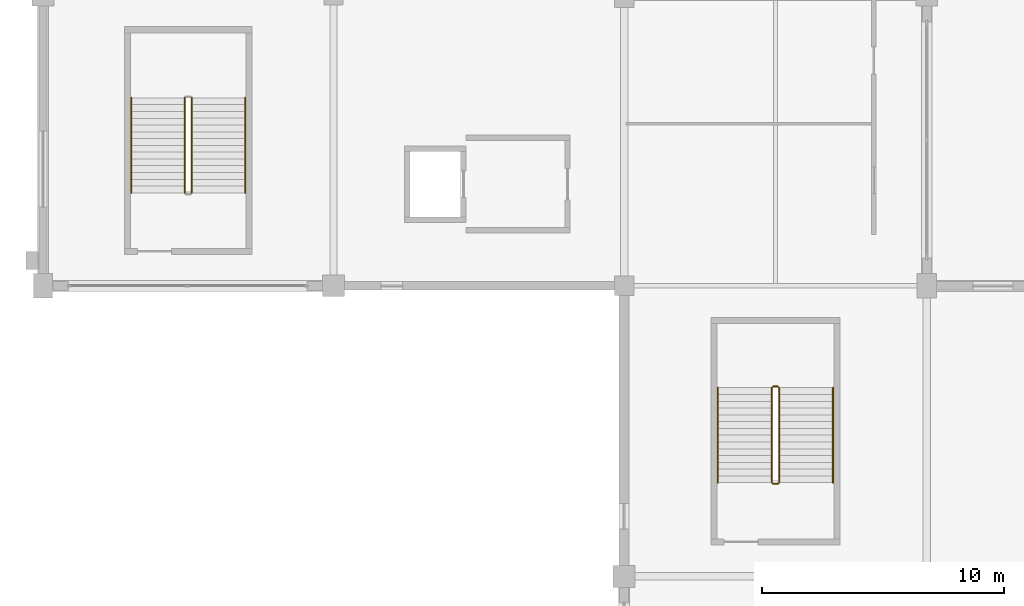
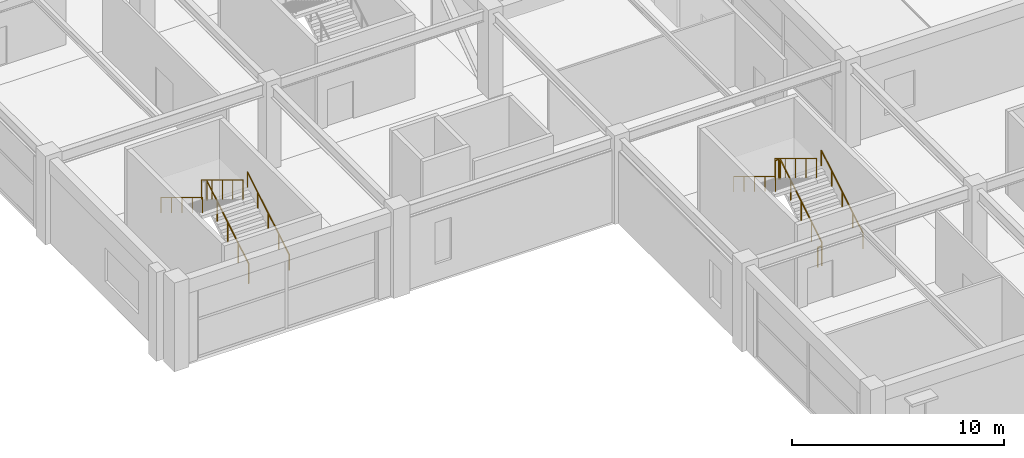
# One storey, part 87 of 116: 10 railings.
"""IFC4 building model written with IfcOpenShell, lengths in metres."""

from ifc_helpers import new_model, si_unit, direction, frame, origin, origin_2d, place, context, subcontext, project, spatial, circle, extrude, material, layer, layer_set, type_object, element, save


model = new_model("IFC4")

# Units and contexts
model_context = context("Model", 3, precision=1e-05, world=origin(), true_north=direction((0.0, 1.0)))
body_context = subcontext(model_context, "Body", "Model", "MODEL_VIEW")
ifc_project = project(units=[si_unit("LENGTHUNIT", "METRE"), si_unit("AREAUNIT", "SQUARE_METRE"), si_unit("VOLUMEUNIT", "CUBIC_METRE"), si_unit("PLANEANGLEUNIT", "RADIAN"), si_unit("MASSUNIT", "GRAM", prefix="KILO")], contexts=[model_context])

# Site, building, storey
site_placement = place(None, origin())
site = spatial("IfcSite", under=ifc_project, at=site_placement, CompositionType="ELEMENT")
building_placement = place(site_placement, origin())
building = spatial("IfcBuilding", under=site, at=building_placement, Name="Kazenohara Klinker Stadium", CompositionType="ELEMENT")
storey_placement = place(building_placement, frame((0.0, 0.0, 10.199951171875)))
storey = spatial("IfcBuildingStorey", under=building, at=storey_placement, Name="L02", CompositionType="ELEMENT", Elevation=10.199951171875)

# Railings
ifc_material_1 = material(Name="Brushed stainless steel 304 handrail", Category="steel")
ifc_layer_1 = layer(ifc_material_1, 0.050048828125)
ifc_layer_set_1 = layer_set([ifc_layer_1], Name="Brushed stainless steel 304 handrail")
railing_type_1 = type_object("IfcRailingType", Name="RL-HND-900", PredefinedType="HANDRAIL", material=ifc_layer_set_1)
railing_1_placement = place(storey_placement, frame((8.35009765625, 39.840087890625, 0.170166015625)))
element("IfcRailing", 1, at=railing_1_placement, inside=storey, type_object=railing_type_1, Name="L02 ST01 stair handrail 1", PredefinedType="HANDRAIL", context=body_context, shape_type="SweptSolid", body=[
    extrude(circle(Radius=0.02392578125, at=origin_2d()), frame((0.0, 0.0, 0.8759765625), z_axis=(0.0, 0.854794262968, 0.518967020143), x_axis=(-1.0, 0.0, 0.0)), (0.0, 0.0, 1.0), 4.585693359375),
    extrude(circle(Radius=0.02099609375, at=origin_2d()), origin(), (0.0, 0.0, 1.0), 0.851806640625),
    extrude(circle(Radius=0.02099609375, at=origin_2d()), frame((0.0, 0.97998046875, 0.594970703125)), (0.0, 0.0, 1.0), 0.851806640625),
    extrude(circle(Radius=0.02099609375, at=origin_2d()), frame((0.0, 1.9599609375, 1.18994140625)), (0.0, 0.0, 1.0), 0.851806640625),
    extrude(circle(Radius=0.02099609375, at=origin_2d()), frame((0.0, 2.93994140625, 1.784912109375)), (0.0, 0.0, 1.0), 0.851806640625),
    extrude(circle(Radius=0.02099609375, at=origin_2d()), frame((0.0, 3.919921875, 2.3798828125)), (0.0, 0.0, 1.0), 0.851806640625),
])
railing_2_placement = place(storey_placement, frame((3.64990234375, 43.760009765625, 2.719970703125)))
element("IfcRailing", 2, at=railing_2_placement, inside=storey, type_object=railing_type_1, Name="L02 ST01 stair handrail 2", PredefinedType="HANDRAIL", context=body_context, shape_type="SweptSolid", body=[
    extrude(circle(Radius=0.02392578125, at=origin_2d()), frame((0.0, 0.0, 0.8759765625), z_axis=(0.0, -0.854770645689, 0.519005918337), x_axis=(1.0, 0.0, 0.0)), (0.0, 0.0, 1.0), 4.5859375),
    extrude(circle(Radius=0.02099609375, at=origin_2d()), origin(), (0.0, 0.0, 1.0), 0.851806640625),
    extrude(circle(Radius=0.02099609375, at=origin_2d()), frame((0.0, -0.97998046875, 0.594970703125)), (0.0, 0.0, 1.0), 0.851806640625),
    extrude(circle(Radius=0.02099609375, at=origin_2d()), frame((0.0, -1.9599609375, 1.18994140625)), (0.0, 0.0, 1.0), 0.851806640625),
    extrude(circle(Radius=0.02099609375, at=origin_2d()), frame((0.0, -2.93994140625, 1.78515625)), (0.0, 0.0, 1.0), 0.851806640625),
    extrude(circle(Radius=0.02099609375, at=origin_2d()), frame((0.0, -3.919921875, 2.380126953125)), (0.0, 0.0, 1.0), 0.851806640625),
])
railing_3_placement = place(storey_placement, frame((32.6298828125, 27.8701171875, 0.170166015625)))
element("IfcRailing", 3, at=railing_3_placement, inside=storey, type_object=railing_type_1, Name="L02 ST07 stair handrail 1", PredefinedType="HANDRAIL", context=body_context, shape_type="SweptSolid", body=[
    extrude(circle(Radius=0.02392578125, at=origin_2d()), frame((0.0, 0.0, 0.8759765625), z_axis=(0.0, 0.854794262968, 0.518967020143), x_axis=(-1.0, 0.0, 0.0)), (0.0, 0.0, 1.0), 4.585693359375),
    extrude(circle(Radius=0.02099609375, at=origin_2d()), origin(), (0.0, 0.0, 1.0), 0.851806640625),
    extrude(circle(Radius=0.02099609375, at=origin_2d()), frame((0.0, 0.97998046875, 0.594970703125)), (0.0, 0.0, 1.0), 0.851806640625),
    extrude(circle(Radius=0.02099609375, at=origin_2d()), frame((0.0, 1.9599609375, 1.18994140625)), (0.0, 0.0, 1.0), 0.851806640625),
    extrude(circle(Radius=0.02099609375, at=origin_2d()), frame((0.0, 2.93994140625, 1.784912109375)), (0.0, 0.0, 1.0), 0.851806640625),
    extrude(circle(Radius=0.02099609375, at=origin_2d()), frame((0.0, 3.919921875, 2.3798828125)), (0.0, 0.0, 1.0), 0.851806640625),
])
railing_4_placement = place(storey_placement, frame((27.8701171875, 31.7900390625, 2.719970703125)))
element("IfcRailing", 4, at=railing_4_placement, inside=storey, type_object=railing_type_1, Name="L02 ST07 stair handrail 2", PredefinedType="HANDRAIL", context=body_context, shape_type="SweptSolid", body=[
    extrude(circle(Radius=0.02392578125, at=origin_2d()), frame((0.0, 0.0, 0.8759765625), z_axis=(0.0, -0.854770645689, 0.519005918337), x_axis=(1.0, 0.0, 0.0)), (0.0, 0.0, 1.0), 4.5859375),
    extrude(circle(Radius=0.02099609375, at=origin_2d()), origin(), (0.0, 0.0, 1.0), 0.851806640625),
    extrude(circle(Radius=0.02099609375, at=origin_2d()), frame((0.0, -0.97998046875, 0.594970703125)), (0.0, 0.0, 1.0), 0.851806640625),
    extrude(circle(Radius=0.02099609375, at=origin_2d()), frame((0.0, -1.9599609375, 1.18994140625)), (0.0, 0.0, 1.0), 0.851806640625),
    extrude(circle(Radius=0.02099609375, at=origin_2d()), frame((0.0, -2.93994140625, 1.78515625)), (0.0, 0.0, 1.0), 0.851806640625),
    extrude(circle(Radius=0.02099609375, at=origin_2d()), frame((0.0, -3.919921875, 2.380126953125)), (0.0, 0.0, 1.0), 0.851806640625),
])
ifc_material_2 = material(Name="Painted steel stairwell guardrail", Category="steel")
ifc_layer_2 = layer(ifc_material_2, 0.06005859375)
ifc_layer_set_2 = layer_set([ifc_layer_2], Name="Painted steel stairwell guardrail")
railing_type_2 = type_object("IfcRailingType", Name="RL-STG-1120", PredefinedType="GUARDRAIL", material=ifc_layer_set_2)
railing_5_placement = place(storey_placement, frame((6.14990234375, 39.840087890625, 0.170166015625)))
element("IfcRailing", 5, at=railing_5_placement, inside=storey, type_object=railing_type_2, Name="L02 ST01 stair guard 1", PredefinedType="GUARDRAIL", context=body_context, shape_type="SweptSolid", body=[
    extrude(circle(Radius=0.02392578125, at=origin_2d()), frame((0.0, 0.0, 1.1259765625), z_axis=(0.0, 0.854794262968, 0.518967020143), x_axis=(-1.0, 0.0, 0.0)), (0.0, 0.0, 1.0), 4.585693359375),
    extrude(circle(Radius=0.02099609375, at=origin_2d()), origin(), (0.0, 0.0, 1.0), 1.101806640625),
    extrude(circle(Radius=0.02099609375, at=origin_2d()), frame((0.0, 0.97998046875, 0.594970703125)), (0.0, 0.0, 1.0), 1.101806640625),
    extrude(circle(Radius=0.02099609375, at=origin_2d()), frame((0.0, 1.9599609375, 1.18994140625)), (0.0, 0.0, 1.0), 1.101806640625),
    extrude(circle(Radius=0.02099609375, at=origin_2d()), frame((0.0, 2.93994140625, 1.784912109375)), (0.0, 0.0, 1.0), 1.101806640625),
    extrude(circle(Radius=0.02099609375, at=origin_2d()), frame((0.0, 3.919921875, 2.3798828125)), (0.0, 0.0, 1.0), 1.101806640625),
])
railing_6_placement = place(storey_placement, frame((5.85009765625, 43.760009765625, 2.719970703125)))
element("IfcRailing", 6, at=railing_6_placement, inside=storey, type_object=railing_type_2, Name="L02 ST01 stair guard 3", PredefinedType="GUARDRAIL", context=body_context, shape_type="SweptSolid", body=[
    extrude(circle(Radius=0.02392578125, at=origin_2d()), frame((0.0, 0.0, 1.1259765625), z_axis=(0.0, -0.854770645689, 0.519005918337), x_axis=(1.0, 0.0, 0.0)), (0.0, 0.0, 1.0), 4.5859375),
    extrude(circle(Radius=0.02099609375, at=origin_2d()), origin(), (0.0, 0.0, 1.0), 1.101806640625),
    extrude(circle(Radius=0.02099609375, at=origin_2d()), frame((0.0, -0.97998046875, 0.594970703125)), (0.0, 0.0, 1.0), 1.101806640625),
    extrude(circle(Radius=0.02099609375, at=origin_2d()), frame((0.0, -1.9599609375, 1.18994140625)), (0.0, 0.0, 1.0), 1.101806640625),
    extrude(circle(Radius=0.02099609375, at=origin_2d()), frame((0.0, -2.93994140625, 1.78515625)), (0.0, 0.0, 1.0), 1.101806640625),
    extrude(circle(Radius=0.02099609375, at=origin_2d()), frame((0.0, -3.919921875, 2.380126953125)), (0.0, 0.0, 1.0), 1.101806640625),
])
railing_7_placement = place(storey_placement, frame((30.39990234375, 27.8701171875, 0.170166015625)))
element("IfcRailing", 7, at=railing_7_placement, inside=storey, type_object=railing_type_2, Name="L02 ST07 stair guard 1", PredefinedType="GUARDRAIL", context=body_context, shape_type="SweptSolid", body=[
    extrude(circle(Radius=0.02392578125, at=origin_2d()), frame((0.0, 0.0, 1.1259765625), z_axis=(0.0, 0.854794262968, 0.518967020143), x_axis=(-1.0, 0.0, 0.0)), (0.0, 0.0, 1.0), 4.585693359375),
    extrude(circle(Radius=0.02099609375, at=origin_2d()), origin(), (0.0, 0.0, 1.0), 1.101806640625),
    extrude(circle(Radius=0.02099609375, at=origin_2d()), frame((0.0, 0.97998046875, 0.594970703125)), (0.0, 0.0, 1.0), 1.101806640625),
    extrude(circle(Radius=0.02099609375, at=origin_2d()), frame((0.0, 1.9599609375, 1.18994140625)), (0.0, 0.0, 1.0), 1.101806640625),
    extrude(circle(Radius=0.02099609375, at=origin_2d()), frame((0.0, 2.93994140625, 1.784912109375)), (0.0, 0.0, 1.0), 1.101806640625),
    extrude(circle(Radius=0.02099609375, at=origin_2d()), frame((0.0, 3.919921875, 2.3798828125)), (0.0, 0.0, 1.0), 1.101806640625),
])
railing_8_placement = place(storey_placement, frame((30.35009765625, 31.840087890625, 2.550048828125)))
element("IfcRailing", 8, at=railing_8_placement, inside=storey, type_object=railing_type_2, Name="L02 ST07 stair guard 2", PredefinedType="GUARDRAIL", context=body_context, shape_type="SweptSolid", body=[
    extrude(circle(Radius=0.02392578125, at=origin_2d()), frame((0.0, 0.0, 1.1259765625), z_axis=(-1.0, 0.0, 0.0), x_axis=(0.0, -1.0, 0.0)), (0.0, 0.0, 1.0), 0.2001953125),
    extrude(circle(Radius=0.02099609375, at=origin_2d()), origin(), (0.0, 0.0, 1.0), 1.101806640625),
    extrude(circle(Radius=0.02099609375, at=origin_2d()), frame((-0.2001953125, 0.0, 0.0)), (0.0, 0.0, 1.0), 1.101806640625),
])
railing_9_placement = place(storey_placement, frame((30.10009765625, 31.7900390625, 2.719970703125)))
element("IfcRailing", 9, at=railing_9_placement, inside=storey, type_object=railing_type_2, Name="L02 ST07 stair guard 3", PredefinedType="GUARDRAIL", context=body_context, shape_type="SweptSolid", body=[
    extrude(circle(Radius=0.02392578125, at=origin_2d()), frame((0.0, 0.0, 1.1259765625), z_axis=(0.0, -0.854770645689, 0.519005918337), x_axis=(1.0, 0.0, 0.0)), (0.0, 0.0, 1.0), 4.5859375),
    extrude(circle(Radius=0.02099609375, at=origin_2d()), origin(), (0.0, 0.0, 1.0), 1.101806640625),
    extrude(circle(Radius=0.02099609375, at=origin_2d()), frame((0.0, -0.97998046875, 0.594970703125)), (0.0, 0.0, 1.0), 1.101806640625),
    extrude(circle(Radius=0.02099609375, at=origin_2d()), frame((0.0, -1.9599609375, 1.18994140625)), (0.0, 0.0, 1.0), 1.101806640625),
    extrude(circle(Radius=0.02099609375, at=origin_2d()), frame((0.0, -2.93994140625, 1.78515625)), (0.0, 0.0, 1.0), 1.101806640625),
    extrude(circle(Radius=0.02099609375, at=origin_2d()), frame((0.0, -3.919921875, 2.380126953125)), (0.0, 0.0, 1.0), 1.101806640625),
])
railing_10_placement = place(storey_placement, frame((30.35009765625, 27.820068359375, 0.0)))
element("IfcRailing", 10, at=railing_10_placement, inside=storey, type_object=railing_type_2, Name="L02 ST07 stair guard 4", PredefinedType="GUARDRAIL", context=body_context, shape_type="SweptSolid", body=[
    extrude(circle(Radius=0.02392578125, at=origin_2d()), frame((0.0, 0.0, 1.1259765625), z_axis=(-1.0, 0.0, 0.0), x_axis=(0.0, -1.0, 0.0)), (0.0, 0.0, 1.0), 0.2001953125),
    extrude(circle(Radius=0.02099609375, at=origin_2d()), origin(), (0.0, 0.0, 1.0), 1.101806640625),
    extrude(circle(Radius=0.02099609375, at=origin_2d()), frame((-0.2001953125, 0.0, 0.0)), (0.0, 0.0, 1.0), 1.101806640625),
])

save(model, "model.ifc")
